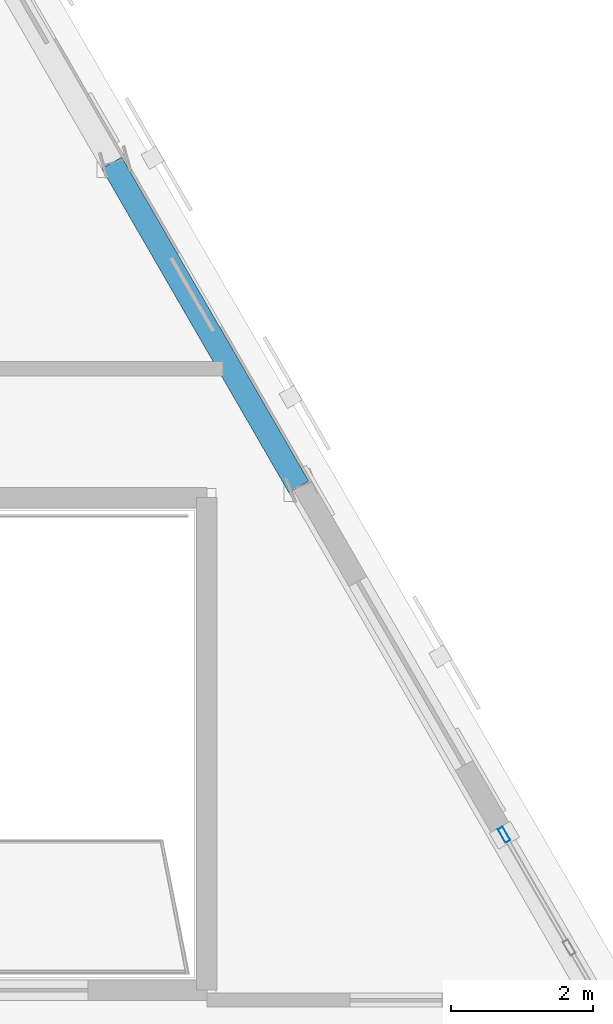
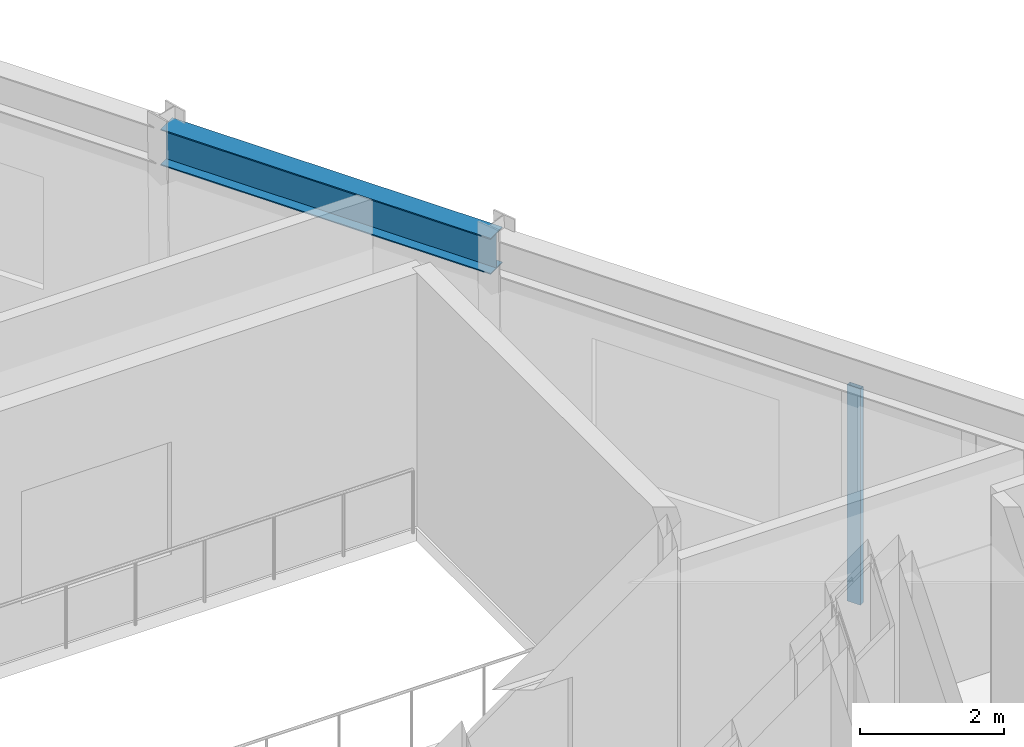
# One storey, part 6 of 15: 1 beam, 1 member, 1 element without a shape of its own.
"""IFC4 building model written with IfcOpenShell, lengths in metres."""

import ifcopenshell
import ifcopenshell.guid

model = None  # the IFC model being written
_history = None  # IfcOwnerHistory: only IFC2X3 demands one
_inside = {}  # id of a spatial element -> (the spatial element, [elements in it])
_under = {}  # id of a project, library or spatial element -> (it, [spatial elements below it])
_declared = {}  # id of a project -> (the project, [libraries it declares])
_typed = {}  # id of a type object -> (the type object, [elements of that type])
_made_of = {}  # id of a material, layer set ... -> (it, [elements and type objects made of it])


def new_model(schema):
    """Start an empty IFC model of exactly this schema.

    Asked for "IFC4X3", IfcOpenShell would pick the latest addendum, in which some entities
    have other attributes; the version numbers below select the first issue.
    IFC2X3 requires an IfcOwnerHistory on every rooted entity: one is made here for all.
    """
    global model, _history
    if schema == "IFC4X3":
        model = ifcopenshell.file(schema_version=(4, 3, 0, 0))
    else:
        model = ifcopenshell.file(schema=schema)
    _inside.clear()
    _under.clear()
    _declared.clear()
    _typed.clear()
    _made_of.clear()
    _history = None
    if model.schema == "IFC2X3":
        org = make("IfcOrganization", Name="unknown")
        user = make(
            "IfcPersonAndOrganization",
            ThePerson=make("IfcPerson", FamilyName="unknown"),
            TheOrganization=org,
        )
        app = make(
            "IfcApplication",
            ApplicationDeveloper=org,
            Version="unknown",
            ApplicationFullName="unknown",
            ApplicationIdentifier="unknown",
        )
        _history = make(
            "IfcOwnerHistory",
            OwningUser=user,
            OwningApplication=app,
            ChangeAction="ADDED",
            CreationDate=0,
        )
    return model


def make(cls, **values):
    """One entity of the class cls with the attributes given. An attribute that is None is left unset."""
    return model.create_entity(
        cls, **{name: value for name, value in values.items() if value is not None}
    )


def rooted(cls, **values):
    """An entity with a GlobalId (a new one), such as an element, a storey or a relation."""
    return make(cls, GlobalId=ifcopenshell.guid.new(), OwnerHistory=_history, **values)


def si_unit(unit_type, name, prefix=None):
    """IfcSIUnit, for example si_unit("LENGTHUNIT", "METRE", prefix="MILLI")."""
    return make("IfcSIUnit", UnitType=unit_type, Prefix=prefix, Name=name)


def assignment(units):
    """IfcUnitAssignment: the units of a project."""
    return None if units is None else make("IfcUnitAssignment", Units=units)


def point(xyz):
    """IfcCartesianPoint."""
    return None if xyz is None else make("IfcCartesianPoint", Coordinates=xyz)


def direction(xyz):
    """IfcDirection."""
    return None if xyz is None else make("IfcDirection", DirectionRatios=xyz)


def frame(location, z_axis=None, x_axis=None):
    """IfcAxis2Placement3D, a coordinate frame: its origin and axes. An axis left out is left unset."""
    return make(
        "IfcAxis2Placement3D",
        Location=point(location),
        Axis=direction(z_axis),
        RefDirection=direction(x_axis),
    )


def frame_2d(location, x_axis=None):
    """IfcAxis2Placement2D, a coordinate frame in the plane: its origin and x axis."""
    return make(
        "IfcAxis2Placement2D", Location=point(location), RefDirection=direction(x_axis)
    )


def origin():
    """The frame at (0, 0, 0) with its axes left unset."""
    return frame((0.0, 0.0, 0.0))


def origin_2d():
    """The frame at (0, 0) in the plane with its x axis left unset."""
    return frame_2d((0.0, 0.0))


def place(relative_to, where):
    """IfcLocalPlacement: puts the frame where relative to a parent placement (None: the world)."""
    return make(
        "IfcLocalPlacement", PlacementRelTo=relative_to, RelativePlacement=where
    )


def context(
    kind, dimensions, precision=None, world=None, true_north=None, identifier=None
):
    """IfcGeometricRepresentationContext, for example the 3D "Model" context."""
    return make(
        "IfcGeometricRepresentationContext",
        ContextIdentifier=identifier,
        ContextType=kind,
        CoordinateSpaceDimension=dimensions,
        Precision=precision,
        WorldCoordinateSystem=world,
        TrueNorth=true_north,
    )


def subcontext(parent, identifier, kind, view, scale=None):
    """IfcGeometricRepresentationSubContext, for example "Body" below "Model"."""
    return make(
        "IfcGeometricRepresentationSubContext",
        ContextIdentifier=identifier,
        ContextType=kind,
        ParentContext=parent,
        TargetScale=scale,
        TargetView=view,
    )


def project(units=None, contexts=None):
    """IfcProject with its units and contexts."""
    return rooted(
        "IfcProject",
        Name="project",
        RepresentationContexts=contexts,
        UnitsInContext=assignment(units),
    )


def spatial(cls, under=None, at=None, **own):
    """A site, building, storey or space (cls), placed at a placement, below another one or the project."""
    s = rooted(cls, ObjectPlacement=at, **own)
    if under is not None:
        _under.setdefault(under.id(), (under, []))[1].append(s)
    return s


def profile(cls, at=None, kind="AREA", **sizes):
    """A parametric profile (cls). Its sizes go by their IFC names, for example OverallWidth=200.0."""
    return make(cls, ProfileType=kind, Position=at, **sizes)


def hollow_rectangle(**sizes):
    """IfcRectangleHollowProfileDef."""
    return profile("IfcRectangleHollowProfileDef", **sizes)


def i_section(**sizes):
    """IfcIShapeProfileDef."""
    return profile("IfcIShapeProfileDef", **sizes)


def extrude(swept, where, along, depth):
    """IfcExtrudedAreaSolid: the profile swept, set in the frame where, extruded along a direction by depth."""
    return make(
        "IfcExtrudedAreaSolid",
        SweptArea=swept,
        Position=where,
        ExtrudedDirection=direction(along),
        Depth=depth,
    )


def shape(context_of_items, identifier, shape_type, items):
    """IfcShapeRepresentation: the items that make up one representation, for example the "Body"."""
    return make(
        "IfcShapeRepresentation",
        ContextOfItems=context_of_items,
        RepresentationIdentifier=identifier,
        RepresentationType=shape_type,
        Items=items,
    )


def material(Name=None, Category=None):
    """IfcMaterial."""
    return make("IfcMaterial", Name=Name, Category=Category)


def layer(
    of_material, thickness, ventilated=None, Name=None, Category=None, Priority=None
):
    """IfcMaterialLayer: one layer of a wall or slab, of a material (None: an air gap)."""
    return make(
        "IfcMaterialLayer",
        Material=of_material,
        LayerThickness=thickness,
        IsVentilated=ventilated,
        Name=Name,
        Category=Category,
        Priority=Priority,
    )


def layer_set(layers, Name=None):
    """IfcMaterialLayerSet."""
    return make("IfcMaterialLayerSet", MaterialLayers=layers, LayerSetName=Name)


def material_profile(
    of_material, cross_section, Name=None, Category=None, Priority=None
):
    """IfcMaterialProfile: a cross section and its material."""
    return make(
        "IfcMaterialProfile",
        Name=Name,
        Material=of_material,
        Profile=cross_section,
        Priority=Priority,
        Category=Category,
    )


def profile_set(profiles, Name=None, composite=None):
    """IfcMaterialProfileSet."""
    return make(
        "IfcMaterialProfileSet",
        Name=Name,
        MaterialProfiles=profiles,
        CompositeProfile=composite,
    )


def made_of(thing, what):
    """Note that an element or type object is made of a material, layer set ...; save() writes the relation."""
    if what is not None:
        _made_of.setdefault(what.id(), (what, []))[1].append(thing)
    return thing


def type_object(cls, material=None, **own):
    """A type object (cls), such as IfcWallType, which elements share."""
    return made_of(rooted(cls, **own), material)


def element(
    cls,
    number,
    at=None,
    inside=None,
    cuts=None,
    type_object=None,
    material=None,
    context=None,
    identifier="Body",
    shape_type=None,
    held_by="IfcProductDefinitionShape",
    body=None,
    shapes=None,
    **own,
):
    """One element of the class cls, such as IfcWall. Its Tag is "e" and its number.

    at: its placement. inside: the storey or other place that contains it. cuts: it is an
    opening in that element (IfcRelVoidsElement). A single representation is given by context,
    identifier, shape_type and body (its items); several are given by shapes. held_by: the class
    of the entity that holds the representations. save() writes the other relations.
    """
    e = rooted(cls, Tag="e%d" % number, ObjectPlacement=at, **own)
    if body is not None:
        shapes = [shape(context, identifier, shape_type, body)]
    if shapes is not None:
        e.Representation = make(held_by, Representations=shapes)
    if inside is not None:
        _inside.setdefault(inside.id(), (inside, []))[1].append(e)
    if cuts is not None:
        rooted(
            "IfcRelVoidsElement", RelatingBuildingElement=cuts, RelatedOpeningElement=e
        )
    if type_object is not None:
        _typed.setdefault(type_object.id(), (type_object, []))[1].append(e)
    return made_of(e, material)


def aggregate(whole, parts):
    """IfcRelAggregates: a whole, such as a stair, and the parts it consists of."""
    return rooted("IfcRelAggregates", RelatingObject=whole, RelatedObjects=parts)


def save(model, path):
    """Write the relations noted so far, then the file.

    IfcRelAggregates (storeys below a building ...), IfcRelContainedInSpatialStructure (elements
    in a storey), IfcRelDefinesByType, IfcRelAssociatesMaterial and IfcRelDeclares: one each for
    every whole, place, type object, material and project.
    """
    for whole, parts in _under.values():
        aggregate(whole, parts)
    for where, things in _inside.values():
        rooted(
            "IfcRelContainedInSpatialStructure",
            RelatedElements=things,
            RelatingStructure=where,
        )
    for kind, things in _typed.values():
        rooted("IfcRelDefinesByType", RelatedObjects=things, RelatingType=kind)
    for what, things in _made_of.values():
        rooted("IfcRelAssociatesMaterial", RelatedObjects=things, RelatingMaterial=what)
    for by, libraries in _declared.values():
        rooted("IfcRelDeclares", RelatingContext=by, RelatedDefinitions=libraries)
    model.write(path)


model = new_model("IFC4")

# Units and contexts
model_context = context("Model", 3, precision=1e-05, world=origin(), true_north=direction((0.0, 1.0)))
body_context = subcontext(model_context, "Body", "Model", "MODEL_VIEW")
ifc_project = project(units=[si_unit("LENGTHUNIT", "METRE"), si_unit("AREAUNIT", "SQUARE_METRE"), si_unit("VOLUMEUNIT", "CUBIC_METRE"), si_unit("PLANEANGLEUNIT", "RADIAN"), si_unit("MASSUNIT", "GRAM", prefix="KILO")], contexts=[model_context])

# Site, building, storey
site_placement = place(None, origin())
site = spatial("IfcSite", under=ifc_project, at=site_placement, CompositionType="ELEMENT")
building_placement = place(site_placement, origin())
building = spatial("IfcBuilding", under=site, at=building_placement, Name="Oramaril Tower", CompositionType="ELEMENT")
storey_placement = place(building_placement, frame((0.0, 0.0, 305.10009765625)))
storey = spatial("IfcBuildingStorey", under=building, at=storey_placement, Name="L80", CompositionType="ELEMENT", Elevation=305.10009765625)

# Beam
ifc_material_1 = material(Name="Steel ASTM A572 Gr 50", Category="steel")
ifc_material_profile_1 = material_profile(ifc_material_1, i_section(OverallWidth=0.324951171875, OverallDepth=0.612060546875, WebThickness=0.0126953125, FlangeThickness=0.01904296875, at=origin_2d()), Name="W24X104")
ifc_profile_set_1 = profile_set([ifc_material_profile_1], Name="Steel ASTM A572 Gr 50")
beam_type = type_object("IfcBeamType", Name="BT-SP5", PredefinedType="SPANDREL", material=ifc_profile_set_1)
beam_placement = place(storey_placement, frame((44.97607421875, 33.1328125, 3.973876953125), z_axis=(-0.500025085526, 0.866010920165, 0.0), x_axis=(-0.866010920165, -0.500025085526, 0.0)))
element("IfcBeam", 1, at=beam_placement, inside=storey, type_object=beam_type, Name="L80 Perimeter Spandrel 11", PredefinedType="SPANDREL", context=body_context, shape_type="SweptSolid", body=[
    extrude(i_section(OverallWidth=0.324951171875, OverallDepth=0.612060546875, WebThickness=0.0126953125, FlangeThickness=0.01904296875, at=origin_2d()), origin(), (0.0, 0.0, 1.0), 5.283935546875),
])

# Curtain wall, member
ifc_material_2 = material(Name="Anodised Aluminium 6063-T6", Category="aluminium")
ifc_layer = layer(ifc_material_2, 0.219970703125)
ifc_layer_set = layer_set([ifc_layer], Name="CWT-SYS6")
curtain_wall_type = type_object("IfcCurtainWallType", Name="CWT-SYS6", PredefinedType="NOTDEFINED", material=ifc_layer_set)
curtain_wall_placement = place(storey_placement, origin())
curtain_wall = element("IfcCurtainWall", 2, at=curtain_wall_placement, inside=storey, type_object=curtain_wall_type, Name="L80 Unitised Curtain Wall CW-6", PredefinedType="NOTDEFINED")
ifc_material_3 = material(Name="Anodised Aluminium 6063-T6", Category="aluminium")
ifc_material_profile_2 = material_profile(ifc_material_3, hollow_rectangle(XDim=0.080078125, YDim=0.219970703125, WallThickness=0.00390625, at=origin_2d()), Name="CWM220X80")
ifc_profile_set_2 = profile_set([ifc_material_profile_2], Name="Anodised Aluminium 6063-T6")
member_type = type_object("IfcMemberType", Name="MT-CWM1", PredefinedType="MULLION", material=ifc_profile_set_2)
member_placement = place(storey_placement, frame((47.87841796875, 28.216796875, 0.0), z_axis=(0.0, 0.0, 1.0), x_axis=(-0.866025463091, -0.499999897278, 0.0)))
member = element("IfcMember", 3, at=member_placement, type_object=member_type, Name="CW-6 mullion 3", PredefinedType="MULLION", context=body_context, shape_type="SweptSolid", body=[
    extrude(hollow_rectangle(XDim=0.080078125, YDim=0.219970703125, WallThickness=0.00390625, at=origin_2d()), origin(), (0.0, 0.0, 1.0), 3.657958984375),
])
aggregate(curtain_wall, [member])

save(model, "model.ifc")
